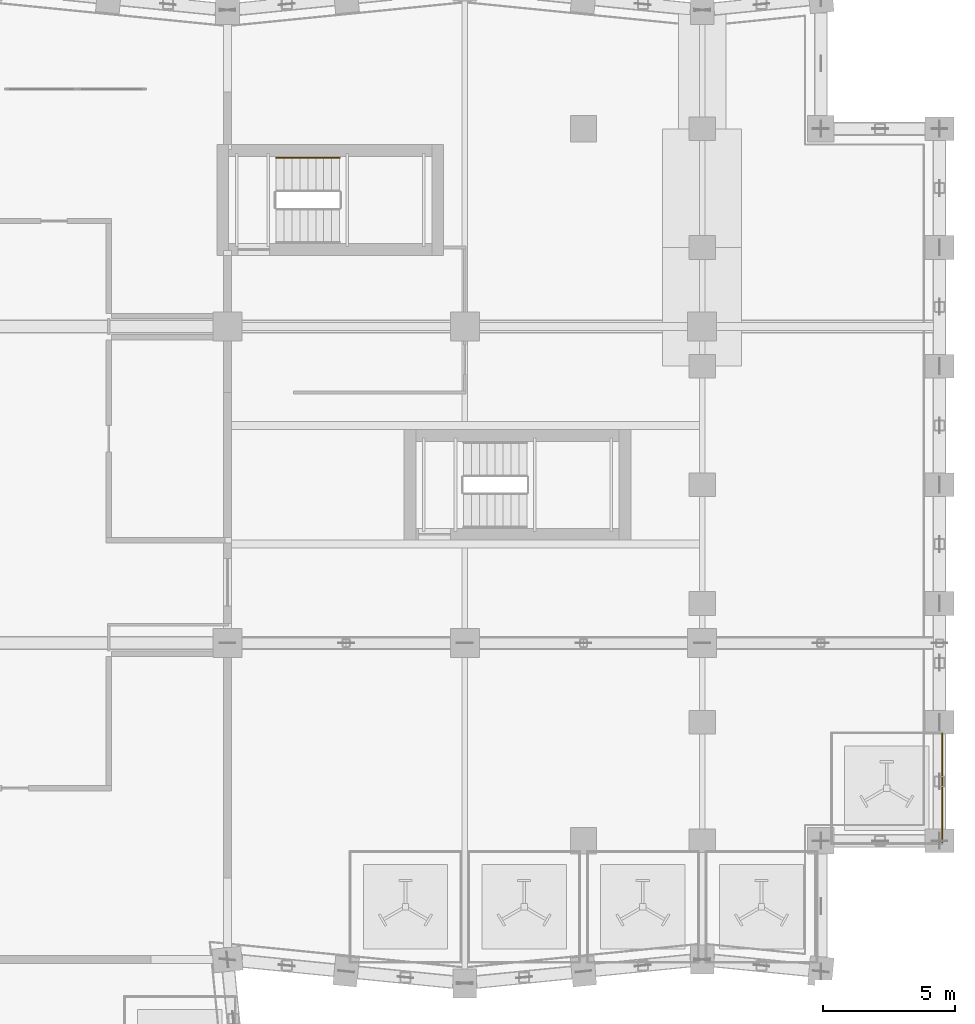
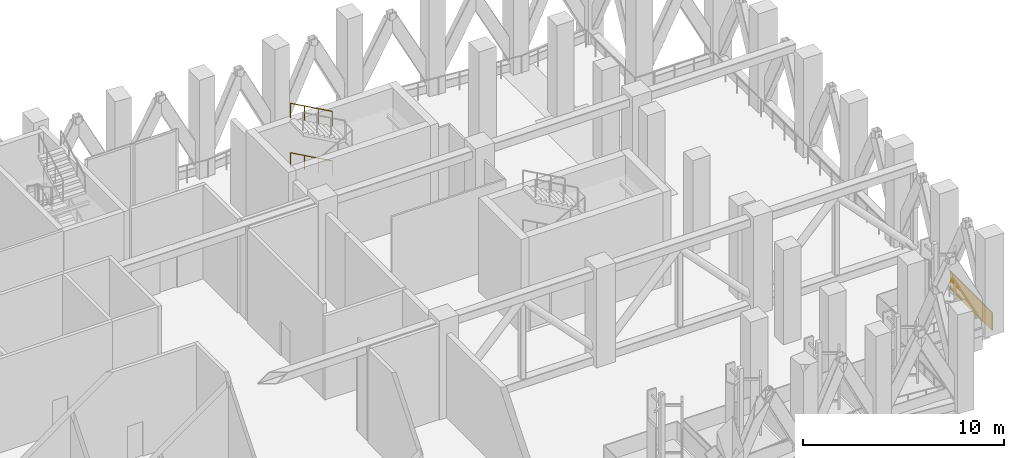
# One storey, part 27 of 28: 3 railings.
"""IFC4 building model written with IfcOpenShell, lengths in metres."""

from ifc_helpers import new_model, si_unit, direction, frame, origin, origin_2d, place, context, subcontext, project, spatial, rectangle, circle, extrude, material, type_object, element, save


model = new_model("IFC4")

# Units and contexts
model_context = context("Model", 3, precision=1e-05, world=origin(), true_north=direction((0.0, 1.0)))
body_context = subcontext(model_context, "Body", "Model", "MODEL_VIEW")
ifc_project = project(units=[si_unit("LENGTHUNIT", "METRE"), si_unit("AREAUNIT", "SQUARE_METRE"), si_unit("VOLUMEUNIT", "CUBIC_METRE"), si_unit("PLANEANGLEUNIT", "RADIAN"), si_unit("MASSUNIT", "GRAM", prefix="KILO")], contexts=[model_context])

# Site, building, storey
site_placement = place(None, origin())
site = spatial("IfcSite", under=ifc_project, at=site_placement, CompositionType="ELEMENT")
building_placement = place(site_placement, origin())
building = spatial("IfcBuilding", under=site, at=building_placement, Name="Brondeck Convention Tower", CompositionType="ELEMENT")
storey_placement = place(building_placement, frame((0.0, 0.0, 192.800048828125)))
storey = spatial("IfcBuildingStorey", under=building, at=storey_placement, Name="L47", CompositionType="ELEMENT", Elevation=192.800048828125)

# Railings
ifc_material_1 = material(Name="Steel S355", Category="steel")
railing_type_1 = type_object("IfcRailingType", Name="Stair handrail", PredefinedType="HANDRAIL", material=ifc_material_1)
for number, where, name in (
    (1, (40.25, 57.39990234375, 1.66650390625), "L47 ST-AE stair handrail 2"),
    (2, (40.25, 57.39990234375, 4.66650390625), "L47 ST-AE stair handrail 4"),
):
    element("IfcRailing", number, at=place(storey_placement, frame(where)), inside=storey, type_object=railing_type_1, Name=name, PredefinedType="HANDRAIL", context=body_context, shape_type="SweptSolid", body=[
        extrude(circle(Radius=0.02392578125, at=origin_2d()), frame((0.0, 0.0, 0.8759765625), z_axis=(-0.874123717778, 0.0, 0.485703331282), x_axis=(0.0, -1.0, 0.0)), (0.0, 0.0, 1.0), 2.74560546875),
        extrude(circle(Radius=0.02099609375, at=origin_2d()), origin(), (0.0, 0.0, 1.0), 0.851806640625),
        extrude(circle(Radius=0.02099609375, at=origin_2d()), frame((-0.800048828125, 0.0, 0.444580078125)), (0.0, 0.0, 1.0), 0.851806640625),
        extrude(circle(Radius=0.02099609375, at=origin_2d()), frame((-1.599853515625, 0.0, 0.888916015625)), (0.0, 0.0, 1.0), 0.851806640625),
        extrude(circle(Radius=0.02099609375, at=origin_2d()), frame((-2.39990234375, 0.0, 1.33349609375)), (0.0, 0.0, 1.0), 0.851806640625),
    ])
ifc_material_2 = material(Name="Galvanised steel", Category="steel")
railing_type_2 = type_object("IfcRailingType", Name="Turbine guard 1100", PredefinedType="GUARDRAIL", material=ifc_material_2)
railing_placement = place(storey_placement, frame((63.10009765625, 33.5, 0.0), z_axis=(0.0, 0.0, 1.0), x_axis=(1.0, 0.0, 0.0)))
element("IfcRailing", 3, at=railing_placement, inside=storey, type_object=railing_type_2, Name="Turbine guard", PredefinedType="GUARDRAIL", context=body_context, shape_type="SweptSolid", body=[
    extrude(rectangle(XDim=0.050048828125, YDim=4.14990234375, at=origin_2d()), origin(), (0.0, 0.0, 1.0), 1.10009765625),
])

save(model, "model.ifc")
